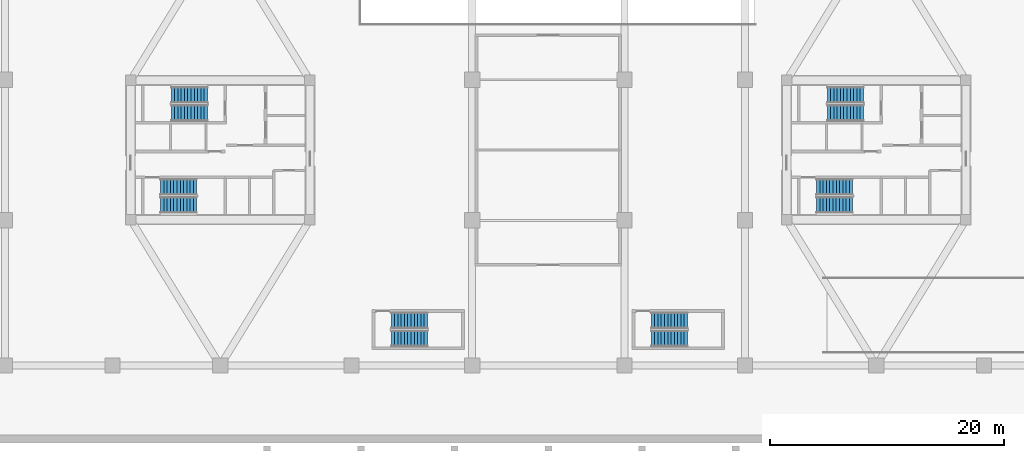
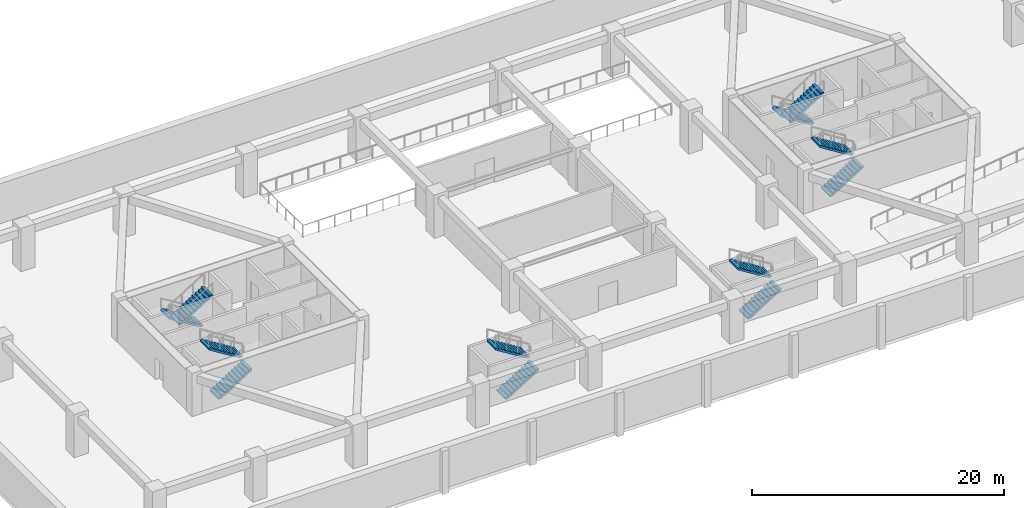
# One storey, part 8 of 14: 12 stair flights, 6 elements without a shape of their own.
"""IFC4 building model written with IfcOpenShell, lengths in metres."""

from ifc_helpers import new_model, si_unit, direction, frame, origin, place, context, subcontext, project, spatial, polyline, outline, extrude, material, type_object, element, aggregate, save


model = new_model("IFC4")

# Units and contexts
model_context = context("Model", 3, precision=1e-05, world=origin(), true_north=direction((0.0, 1.0)))
body_context = subcontext(model_context, "Body", "Model", "MODEL_VIEW")
ifc_project = project(units=[si_unit("LENGTHUNIT", "METRE"), si_unit("AREAUNIT", "SQUARE_METRE"), si_unit("VOLUMEUNIT", "CUBIC_METRE"), si_unit("PLANEANGLEUNIT", "RADIAN"), si_unit("MASSUNIT", "GRAM", prefix="KILO")], contexts=[model_context])

# Site, building, storey
site_placement = place(None, origin())
site = spatial("IfcSite", under=ifc_project, at=site_placement, CompositionType="ELEMENT")
building_placement = place(site_placement, origin())
building = spatial("IfcBuilding", under=site, at=building_placement, Name="Norrkilde Senior Care Towers", CompositionType="ELEMENT")
storey_placement = place(building_placement, frame((0.0, 0.0, -4.199951171875)))
storey = spatial("IfcBuildingStorey", under=building, at=storey_placement, Name="B1", CompositionType="ELEMENT", Elevation=-4.199951171875)

# Stair, stair flights
ifc_material = material(Name="Concrete C45/55", Category="concrete")
stair_type = type_object("IfcStairType", Name="Core Protected Dogleg Stair Podium 4200", PredefinedType="HALF_TURN_STAIR", material=ifc_material)
stair_1_placement = place(storey_placement, origin())
stair_1 = element("IfcStair", 1, at=stair_1_placement, inside=storey, type_object=stair_type, Name="B1 Protected Core Stair W1", PredefinedType="HALF_TURN_STAIR")
stair_flight_type = type_object("IfcStairFlightType", Name="Core Protected Dogleg Stair Podium 4200 Flight", PredefinedType="STRAIGHT", material=ifc_material)
stair_flight_1_placement = place(storey_placement, frame((-29.10009765625, 4.699951171875, 0.0), z_axis=(0.0, 0.0, 1.0), x_axis=(-1.0, 0.0, 0.0)))
stair_flight_1 = element("IfcStairFlight", 2, at=stair_flight_1_placement, type_object=stair_flight_type, Name="ST-W1 flight 1", NumberOfRisers=12, NumberOfTreads=11, PredefinedType="STRAIGHT", RiserHeight=0.175, TreadLength=0.28, context=body_context, shape_type="SweptSolid", body=[
    extrude(outline(polyline([(0.0, 0.0), (0.0, 0.175048828125), (0.280029296875, 0.175048828125), (0.280029296875, 0.35009765625), (0.56005859375, 0.35009765625), (0.56005859375, 0.52490234375), (0.840087890625, 0.52490234375), (0.840087890625, 0.699951171875), (1.1201171875, 0.699951171875), (1.1201171875, 0.875), (1.39990234375, 0.875), (1.39990234375, 1.050048828125), (1.679931640625, 1.050048828125), (1.679931640625, 1.22509765625), (1.9599609375, 1.22509765625), (1.9599609375, 1.39990234375), (2.239990234375, 1.39990234375), (2.239990234375, 1.574951171875), (2.52001953125, 1.574951171875), (2.52001953125, 1.75), (2.800048828125, 1.75), (2.800048828125, 1.925048828125), (3.080078125, 1.925048828125), (3.080078125, 2.10009765625), (3.080078125, 1.748291015625), (0.28271484375, 0.0), (0.0, 0.0)])), frame((0.0, 0.699951171875, 0.0), z_axis=(0.0, -1.0, 0.0), x_axis=(1.0, 0.0, 0.0)), (0.0, 0.0, 1.0), 1.39990234375),
])
stair_flight_2_placement = place(storey_placement, frame((-32.179931640625, 3.14990234375, 2.099853515625), z_axis=(0.0, 0.0, 1.0), x_axis=(1.0, 0.0, 0.0)))
stair_flight_2 = element("IfcStairFlight", 3, at=stair_flight_2_placement, type_object=stair_flight_type, Name="ST-W1 flight 2", NumberOfRisers=12, NumberOfTreads=11, PredefinedType="STRAIGHT", RiserHeight=0.175, TreadLength=0.28, context=body_context, shape_type="SweptSolid", body=[
    extrude(outline(polyline([(0.0, 0.0), (0.0, 0.175048828125), (0.280029296875, 0.175048828125), (0.280029296875, 0.35009765625), (0.56005859375, 0.35009765625), (0.56005859375, 0.52490234375), (0.840087890625, 0.52490234375), (0.840087890625, 0.699951171875), (1.1201171875, 0.699951171875), (1.1201171875, 0.875), (1.39990234375, 0.875), (1.39990234375, 1.050048828125), (1.679931640625, 1.050048828125), (1.679931640625, 1.22509765625), (1.9599609375, 1.22509765625), (1.9599609375, 1.39990234375), (2.239990234375, 1.39990234375), (2.239990234375, 1.574951171875), (2.52001953125, 1.574951171875), (2.52001953125, 1.75), (2.800048828125, 1.75), (2.800048828125, 1.925048828125), (3.080078125, 1.925048828125), (3.080078125, 2.10009765625), (3.080078125, 1.748291015625), (0.28271484375, 0.0), (0.0, 0.0)])), frame((0.0, 0.699951171875, 0.0), z_axis=(0.0, -1.0, 0.0), x_axis=(1.0, 0.0, 0.0)), (0.0, 0.0, 1.0), 1.39990234375),
])
aggregate(stair_1, [stair_flight_1, stair_flight_2])

stair_2_placement = place(storey_placement, origin())
stair_2 = element("IfcStair", 4, at=stair_2_placement, inside=storey, type_object=stair_type, Name="B1 Protected Core Stair W2", PredefinedType="HALF_TURN_STAIR")
stair_flight_3_placement = place(storey_placement, frame((-33.10009765625, -4.699951171875, 0.0), z_axis=(0.0, 0.0, 1.0), x_axis=(1.0, 0.0, 0.0)))
stair_flight_3 = element("IfcStairFlight", 5, at=stair_flight_3_placement, type_object=stair_flight_type, Name="ST-W2 flight 1", NumberOfRisers=12, NumberOfTreads=11, PredefinedType="STRAIGHT", RiserHeight=0.175, TreadLength=0.28, context=body_context, shape_type="SweptSolid", body=[
    extrude(outline(polyline([(0.0, 0.0), (0.0, 0.175048828125), (0.280029296875, 0.175048828125), (0.280029296875, 0.35009765625), (0.56005859375, 0.35009765625), (0.56005859375, 0.52490234375), (0.840087890625, 0.52490234375), (0.840087890625, 0.699951171875), (1.1201171875, 0.699951171875), (1.1201171875, 0.875), (1.39990234375, 0.875), (1.39990234375, 1.050048828125), (1.679931640625, 1.050048828125), (1.679931640625, 1.22509765625), (1.9599609375, 1.22509765625), (1.9599609375, 1.39990234375), (2.239990234375, 1.39990234375), (2.239990234375, 1.574951171875), (2.52001953125, 1.574951171875), (2.52001953125, 1.75), (2.800048828125, 1.75), (2.800048828125, 1.925048828125), (3.080078125, 1.925048828125), (3.080078125, 2.10009765625), (3.080078125, 1.748291015625), (0.28271484375, 0.0), (0.0, 0.0)])), frame((0.0, 0.699951171875, 0.0), z_axis=(0.0, -1.0, 0.0), x_axis=(1.0, 0.0, 0.0)), (0.0, 0.0, 1.0), 1.39990234375),
])
stair_flight_4_placement = place(storey_placement, frame((-30.02001953125, -3.14990234375, 2.099853515625), z_axis=(0.0, 0.0, 1.0), x_axis=(-1.0, 0.0, 0.0)))
stair_flight_4 = element("IfcStairFlight", 6, at=stair_flight_4_placement, type_object=stair_flight_type, Name="ST-W2 flight 2", NumberOfRisers=12, NumberOfTreads=11, PredefinedType="STRAIGHT", RiserHeight=0.175, TreadLength=0.28, context=body_context, shape_type="SweptSolid", body=[
    extrude(outline(polyline([(0.0, 0.0), (0.0, 0.175048828125), (0.280029296875, 0.175048828125), (0.280029296875, 0.35009765625), (0.56005859375, 0.35009765625), (0.56005859375, 0.52490234375), (0.840087890625, 0.52490234375), (0.840087890625, 0.699951171875), (1.1201171875, 0.699951171875), (1.1201171875, 0.875), (1.39990234375, 0.875), (1.39990234375, 1.050048828125), (1.679931640625, 1.050048828125), (1.679931640625, 1.22509765625), (1.9599609375, 1.22509765625), (1.9599609375, 1.39990234375), (2.239990234375, 1.39990234375), (2.239990234375, 1.574951171875), (2.52001953125, 1.574951171875), (2.52001953125, 1.75), (2.800048828125, 1.75), (2.800048828125, 1.925048828125), (3.080078125, 1.925048828125), (3.080078125, 2.10009765625), (3.080078125, 1.748291015625), (0.28271484375, 0.0), (0.0, 0.0)])), frame((0.0, 0.699951171875, 0.0), z_axis=(0.0, -1.0, 0.0), x_axis=(1.0, 0.0, 0.0)), (0.0, 0.0, 1.0), 1.39990234375),
])
aggregate(stair_2, [stair_flight_3, stair_flight_4])

stair_3_placement = place(storey_placement, origin())
stair_3 = element("IfcStair", 7, at=stair_3_placement, inside=storey, type_object=stair_type, Name="B1 Protected Core Stair E1", PredefinedType="HALF_TURN_STAIR")
stair_flight_5_placement = place(storey_placement, frame((26.89990234375, 4.699951171875, 0.0), z_axis=(0.0, 0.0, 1.0), x_axis=(-1.0, 0.0, 0.0)))
stair_flight_5 = element("IfcStairFlight", 8, at=stair_flight_5_placement, type_object=stair_flight_type, Name="ST-E1 flight 1", NumberOfRisers=12, NumberOfTreads=11, PredefinedType="STRAIGHT", RiserHeight=0.175, TreadLength=0.28, context=body_context, shape_type="SweptSolid", body=[
    extrude(outline(polyline([(0.0, 0.0), (0.0, 0.175048828125), (0.280029296875, 0.175048828125), (0.280029296875, 0.35009765625), (0.56005859375, 0.35009765625), (0.56005859375, 0.52490234375), (0.840087890625, 0.52490234375), (0.840087890625, 0.699951171875), (1.1201171875, 0.699951171875), (1.1201171875, 0.875), (1.39990234375, 0.875), (1.39990234375, 1.050048828125), (1.679931640625, 1.050048828125), (1.679931640625, 1.22509765625), (1.9599609375, 1.22509765625), (1.9599609375, 1.39990234375), (2.239990234375, 1.39990234375), (2.239990234375, 1.574951171875), (2.52001953125, 1.574951171875), (2.52001953125, 1.75), (2.800048828125, 1.75), (2.800048828125, 1.925048828125), (3.080078125, 1.925048828125), (3.080078125, 2.10009765625), (3.080078125, 1.748291015625), (0.28271484375, 0.0), (0.0, 0.0)])), frame((0.0, 0.699951171875, 0.0), z_axis=(0.0, -1.0, 0.0), x_axis=(1.0, 0.0, 0.0)), (0.0, 0.0, 1.0), 1.39990234375),
])
stair_flight_6_placement = place(storey_placement, frame((23.820068359375, 3.14990234375, 2.099853515625), z_axis=(0.0, 0.0, 1.0), x_axis=(1.0, 0.0, 0.0)))
stair_flight_6 = element("IfcStairFlight", 9, at=stair_flight_6_placement, type_object=stair_flight_type, Name="ST-E1 flight 2", NumberOfRisers=12, NumberOfTreads=11, PredefinedType="STRAIGHT", RiserHeight=0.175, TreadLength=0.28, context=body_context, shape_type="SweptSolid", body=[
    extrude(outline(polyline([(0.0, 0.0), (0.0, 0.175048828125), (0.280029296875, 0.175048828125), (0.280029296875, 0.35009765625), (0.56005859375, 0.35009765625), (0.56005859375, 0.52490234375), (0.840087890625, 0.52490234375), (0.840087890625, 0.699951171875), (1.1201171875, 0.699951171875), (1.1201171875, 0.875), (1.39990234375, 0.875), (1.39990234375, 1.050048828125), (1.679931640625, 1.050048828125), (1.679931640625, 1.22509765625), (1.9599609375, 1.22509765625), (1.9599609375, 1.39990234375), (2.239990234375, 1.39990234375), (2.239990234375, 1.574951171875), (2.52001953125, 1.574951171875), (2.52001953125, 1.75), (2.800048828125, 1.75), (2.800048828125, 1.925048828125), (3.080078125, 1.925048828125), (3.080078125, 2.10009765625), (3.080078125, 1.748291015625), (0.28271484375, 0.0), (0.0, 0.0)])), frame((0.0, 0.699951171875, 0.0), z_axis=(0.0, -1.0, 0.0), x_axis=(1.0, 0.0, 0.0)), (0.0, 0.0, 1.0), 1.39990234375),
])
aggregate(stair_3, [stair_flight_5, stair_flight_6])

stair_4_placement = place(storey_placement, origin())
stair_4 = element("IfcStair", 10, at=stair_4_placement, inside=storey, type_object=stair_type, Name="B1 Protected Core Stair E2", PredefinedType="HALF_TURN_STAIR")
stair_flight_7_placement = place(storey_placement, frame((22.89990234375, -4.699951171875, 0.0), z_axis=(0.0, 0.0, 1.0), x_axis=(1.0, 0.0, 0.0)))
stair_flight_7 = element("IfcStairFlight", 11, at=stair_flight_7_placement, type_object=stair_flight_type, Name="ST-E2 flight 1", NumberOfRisers=12, NumberOfTreads=11, PredefinedType="STRAIGHT", RiserHeight=0.175, TreadLength=0.28, context=body_context, shape_type="SweptSolid", body=[
    extrude(outline(polyline([(0.0, 0.0), (0.0, 0.175048828125), (0.280029296875, 0.175048828125), (0.280029296875, 0.35009765625), (0.56005859375, 0.35009765625), (0.56005859375, 0.52490234375), (0.840087890625, 0.52490234375), (0.840087890625, 0.699951171875), (1.1201171875, 0.699951171875), (1.1201171875, 0.875), (1.39990234375, 0.875), (1.39990234375, 1.050048828125), (1.679931640625, 1.050048828125), (1.679931640625, 1.22509765625), (1.9599609375, 1.22509765625), (1.9599609375, 1.39990234375), (2.239990234375, 1.39990234375), (2.239990234375, 1.574951171875), (2.52001953125, 1.574951171875), (2.52001953125, 1.75), (2.800048828125, 1.75), (2.800048828125, 1.925048828125), (3.080078125, 1.925048828125), (3.080078125, 2.10009765625), (3.080078125, 1.748291015625), (0.28271484375, 0.0), (0.0, 0.0)])), frame((0.0, 0.699951171875, 0.0), z_axis=(0.0, -1.0, 0.0), x_axis=(1.0, 0.0, 0.0)), (0.0, 0.0, 1.0), 1.39990234375),
])
stair_flight_8_placement = place(storey_placement, frame((25.97998046875, -3.14990234375, 2.099853515625), z_axis=(0.0, 0.0, 1.0), x_axis=(-1.0, 0.0, 0.0)))
stair_flight_8 = element("IfcStairFlight", 12, at=stair_flight_8_placement, type_object=stair_flight_type, Name="ST-E2 flight 2", NumberOfRisers=12, NumberOfTreads=11, PredefinedType="STRAIGHT", RiserHeight=0.175, TreadLength=0.28, context=body_context, shape_type="SweptSolid", body=[
    extrude(outline(polyline([(0.0, 0.0), (0.0, 0.175048828125), (0.280029296875, 0.175048828125), (0.280029296875, 0.35009765625), (0.56005859375, 0.35009765625), (0.56005859375, 0.52490234375), (0.840087890625, 0.52490234375), (0.840087890625, 0.699951171875), (1.1201171875, 0.699951171875), (1.1201171875, 0.875), (1.39990234375, 0.875), (1.39990234375, 1.050048828125), (1.679931640625, 1.050048828125), (1.679931640625, 1.22509765625), (1.9599609375, 1.22509765625), (1.9599609375, 1.39990234375), (2.239990234375, 1.39990234375), (2.239990234375, 1.574951171875), (2.52001953125, 1.574951171875), (2.52001953125, 1.75), (2.800048828125, 1.75), (2.800048828125, 1.925048828125), (3.080078125, 1.925048828125), (3.080078125, 2.10009765625), (3.080078125, 1.748291015625), (0.28271484375, 0.0), (0.0, 0.0)])), frame((0.0, 0.699951171875, 0.0), z_axis=(0.0, -1.0, 0.0), x_axis=(1.0, 0.0, 0.0)), (0.0, 0.0, 1.0), 1.39990234375),
])
aggregate(stair_4, [stair_flight_7, stair_flight_8])

stair_5_placement = place(storey_placement, origin())
stair_5 = element("IfcStair", 13, at=stair_5_placement, inside=storey, type_object=stair_type, Name="B1 Podium Clinic Exit Stair P1", PredefinedType="HALF_TURN_STAIR")
stair_flight_9_placement = place(storey_placement, frame((-13.39990234375, -16.10009765625, 0.0), z_axis=(0.0, 0.0, 1.0), x_axis=(1.0, 0.0, 0.0)))
stair_flight_9 = element("IfcStairFlight", 14, at=stair_flight_9_placement, type_object=stair_flight_type, Name="ST-P1 flight 1", NumberOfRisers=12, NumberOfTreads=11, PredefinedType="STRAIGHT", RiserHeight=0.175, TreadLength=0.28, context=body_context, shape_type="SweptSolid", body=[
    extrude(outline(polyline([(0.0, 0.0), (0.0, 0.175048828125), (0.280029296875, 0.175048828125), (0.280029296875, 0.35009765625), (0.56005859375, 0.35009765625), (0.56005859375, 0.52490234375), (0.840087890625, 0.52490234375), (0.840087890625, 0.699951171875), (1.1201171875, 0.699951171875), (1.1201171875, 0.875), (1.39990234375, 0.875), (1.39990234375, 1.050048828125), (1.679931640625, 1.050048828125), (1.679931640625, 1.22509765625), (1.9599609375, 1.22509765625), (1.9599609375, 1.39990234375), (2.239990234375, 1.39990234375), (2.239990234375, 1.574951171875), (2.52001953125, 1.574951171875), (2.52001953125, 1.75), (2.800048828125, 1.75), (2.800048828125, 1.925048828125), (3.080078125, 1.925048828125), (3.080078125, 2.10009765625), (3.080078125, 1.748291015625), (0.28271484375, 0.0), (0.0, 0.0)])), frame((0.0, 0.699951171875, 0.0), z_axis=(0.0, -1.0, 0.0), x_axis=(1.0, 0.0, 0.0)), (0.0, 0.0, 1.0), 1.39990234375),
])
stair_flight_10_placement = place(storey_placement, frame((-10.320068359375, -14.550048828125, 2.099853515625), z_axis=(0.0, 0.0, 1.0), x_axis=(-1.0, 0.0, 0.0)))
stair_flight_10 = element("IfcStairFlight", 15, at=stair_flight_10_placement, type_object=stair_flight_type, Name="ST-P1 flight 2", NumberOfRisers=12, NumberOfTreads=11, PredefinedType="STRAIGHT", RiserHeight=0.175, TreadLength=0.28, context=body_context, shape_type="SweptSolid", body=[
    extrude(outline(polyline([(0.0, 0.0), (0.0, 0.175048828125), (0.280029296875, 0.175048828125), (0.280029296875, 0.35009765625), (0.56005859375, 0.35009765625), (0.56005859375, 0.52490234375), (0.840087890625, 0.52490234375), (0.840087890625, 0.699951171875), (1.1201171875, 0.699951171875), (1.1201171875, 0.875), (1.39990234375, 0.875), (1.39990234375, 1.050048828125), (1.679931640625, 1.050048828125), (1.679931640625, 1.22509765625), (1.9599609375, 1.22509765625), (1.9599609375, 1.39990234375), (2.239990234375, 1.39990234375), (2.239990234375, 1.574951171875), (2.52001953125, 1.574951171875), (2.52001953125, 1.75), (2.800048828125, 1.75), (2.800048828125, 1.925048828125), (3.080078125, 1.925048828125), (3.080078125, 2.10009765625), (3.080078125, 1.748291015625), (0.28271484375, 0.0), (0.0, 0.0)])), frame((0.0, 0.699951171875, 0.0), z_axis=(0.0, -1.0, 0.0), x_axis=(1.0, 0.0, 0.0)), (0.0, 0.0, 1.0), 1.39990234375),
])
aggregate(stair_5, [stair_flight_9, stair_flight_10])

stair_6_placement = place(storey_placement, origin())
stair_6 = element("IfcStair", 16, at=stair_6_placement, inside=storey, type_object=stair_type, Name="B1 Podium Clinic Exit Stair P2", PredefinedType="HALF_TURN_STAIR")
stair_flight_11_placement = place(storey_placement, frame((8.800048828125, -16.10009765625, 0.0), z_axis=(0.0, 0.0, 1.0), x_axis=(1.0, 0.0, 0.0)))
stair_flight_11 = element("IfcStairFlight", 17, at=stair_flight_11_placement, type_object=stair_flight_type, Name="ST-P2 flight 1", NumberOfRisers=12, NumberOfTreads=11, PredefinedType="STRAIGHT", RiserHeight=0.175, TreadLength=0.28, context=body_context, shape_type="SweptSolid", body=[
    extrude(outline(polyline([(0.0, 0.0), (0.0, 0.175048828125), (0.280029296875, 0.175048828125), (0.280029296875, 0.35009765625), (0.56005859375, 0.35009765625), (0.56005859375, 0.52490234375), (0.840087890625, 0.52490234375), (0.840087890625, 0.699951171875), (1.1201171875, 0.699951171875), (1.1201171875, 0.875), (1.39990234375, 0.875), (1.39990234375, 1.050048828125), (1.679931640625, 1.050048828125), (1.679931640625, 1.22509765625), (1.9599609375, 1.22509765625), (1.9599609375, 1.39990234375), (2.239990234375, 1.39990234375), (2.239990234375, 1.574951171875), (2.52001953125, 1.574951171875), (2.52001953125, 1.75), (2.800048828125, 1.75), (2.800048828125, 1.925048828125), (3.080078125, 1.925048828125), (3.080078125, 2.10009765625), (3.080078125, 1.748291015625), (0.28271484375, 0.0), (0.0, 0.0)])), frame((0.0, 0.699951171875, 0.0), z_axis=(0.0, -1.0, 0.0), x_axis=(1.0, 0.0, 0.0)), (0.0, 0.0, 1.0), 1.39990234375),
])
stair_flight_12_placement = place(storey_placement, frame((11.8798828125, -14.550048828125, 2.099853515625), z_axis=(0.0, 0.0, 1.0), x_axis=(-1.0, 0.0, 0.0)))
stair_flight_12 = element("IfcStairFlight", 18, at=stair_flight_12_placement, type_object=stair_flight_type, Name="ST-P2 flight 2", NumberOfRisers=12, NumberOfTreads=11, PredefinedType="STRAIGHT", RiserHeight=0.175, TreadLength=0.28, context=body_context, shape_type="SweptSolid", body=[
    extrude(outline(polyline([(0.0, 0.0), (0.0, 0.175048828125), (0.280029296875, 0.175048828125), (0.280029296875, 0.35009765625), (0.56005859375, 0.35009765625), (0.56005859375, 0.52490234375), (0.840087890625, 0.52490234375), (0.840087890625, 0.699951171875), (1.1201171875, 0.699951171875), (1.1201171875, 0.875), (1.39990234375, 0.875), (1.39990234375, 1.050048828125), (1.679931640625, 1.050048828125), (1.679931640625, 1.22509765625), (1.9599609375, 1.22509765625), (1.9599609375, 1.39990234375), (2.239990234375, 1.39990234375), (2.239990234375, 1.574951171875), (2.52001953125, 1.574951171875), (2.52001953125, 1.75), (2.800048828125, 1.75), (2.800048828125, 1.925048828125), (3.080078125, 1.925048828125), (3.080078125, 2.10009765625), (3.080078125, 1.748291015625), (0.28271484375, 0.0), (0.0, 0.0)])), frame((0.0, 0.699951171875, 0.0), z_axis=(0.0, -1.0, 0.0), x_axis=(1.0, 0.0, 0.0)), (0.0, 0.0, 1.0), 1.39990234375),
])
aggregate(stair_6, [stair_flight_11, stair_flight_12])

save(model, "model.ifc")
